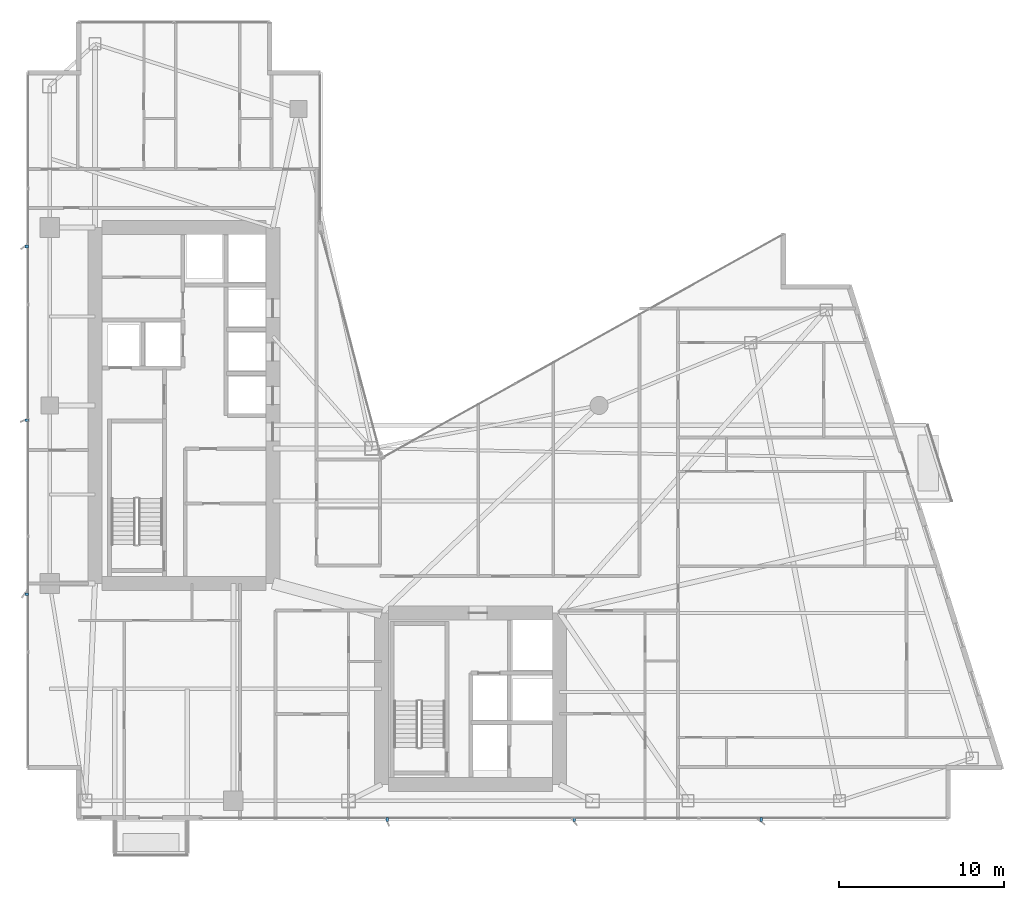
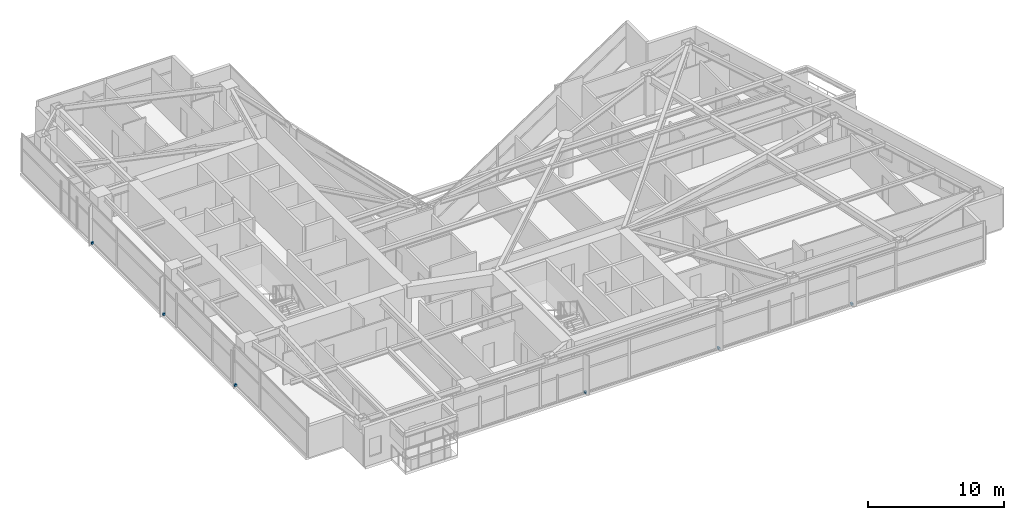
# One storey, part 26 of 28: 6 discrete accessories.
"""IFC4 building model written with IfcOpenShell, lengths in metres."""

from ifc_helpers import new_model, si_unit, direction, frame, origin, origin_2d, place, context, subcontext, project, spatial, rectangle, extrude, material, type_object, element, save


model = new_model("IFC4")

# Units and contexts
model_context = context("Model", 3, precision=1e-05, world=origin(), true_north=direction((0.0, 1.0)))
body_context = subcontext(model_context, "Body", "Model", "MODEL_VIEW")
ifc_project = project(units=[si_unit("LENGTHUNIT", "METRE"), si_unit("AREAUNIT", "SQUARE_METRE"), si_unit("VOLUMEUNIT", "CUBIC_METRE"), si_unit("PLANEANGLEUNIT", "RADIAN"), si_unit("MASSUNIT", "GRAM", prefix="KILO")], contexts=[model_context])

# Site, building, storey
site_placement = place(None, origin())
site = spatial("IfcSite", under=ifc_project, at=site_placement, CompositionType="ELEMENT")
building_placement = place(site_placement, origin())
building = spatial("IfcBuilding", under=site, at=building_placement, Name="Calvorn Quay Hotel", CompositionType="ELEMENT")
storey_placement = place(building_placement, frame((0.0, 0.0, 112.60009765625)))
storey = spatial("IfcBuildingStorey", under=building, at=storey_placement, Name="L27", CompositionType="ELEMENT", Elevation=112.60009765625)

# Discrete accessories
ifc_material = material(Name="Steel Q355B", Category="steel")
discrete_accessory_type = type_object("IfcDiscreteAccessoryType", Name="ACC-FIN-BRACKET", PredefinedType="BRACKET", material=ifc_material)
for number, where, z_axis, x_axis, name in (
    (1, (0.06005859375, 16.14990234375, 0.02978515625), (0.0, 0.0, 1.0), (1.0, 0.0, 0.0), "Fin Anchor Bracket L27-W01"),
    (2, (0.06005859375, 26.699951171875, 0.02978515625), (0.0, 0.0, 1.0), (1.0, 0.0, 0.0), "Fin Anchor Bracket L27-W02"),
    (3, (0.06005859375, 37.25, 0.02978515625), (0.0, 0.0, 1.0), (1.0, 0.0, 0.0), "Fin Anchor Bracket L27-W03"),
    (4, (21.949951171875, 2.4599609375, 0.02978515625), (0.0, 0.0, 1.0), (0.0, 1.0, 0.0), "Fin Anchor Bracket L27-S01"),
    (5, (33.300048828125, 2.4599609375, 0.02978515625), (0.0, 0.0, 1.0), (0.0, 1.0, 0.0), "Fin Anchor Bracket L27-S02"),
    (6, (44.64990234375, 2.4599609375, 0.02978515625), (0.0, 0.0, 1.0), (0.0, 1.0, 0.0), "Fin Anchor Bracket L27-S03"),
):
    element("IfcDiscreteAccessory", number, at=place(storey_placement, frame(where, z_axis=z_axis, x_axis=x_axis)), inside=storey, type_object=discrete_accessory_type, Name=name, PredefinedType="BRACKET", context=body_context, shape_type="SweptSolid", body=[
        extrude(rectangle(XDim=0.239990234375, YDim=0.159912109375, at=origin_2d()), origin(), (0.0, 0.0, 1.0), 0.179931640625),
    ])

save(model, "model.ifc")
